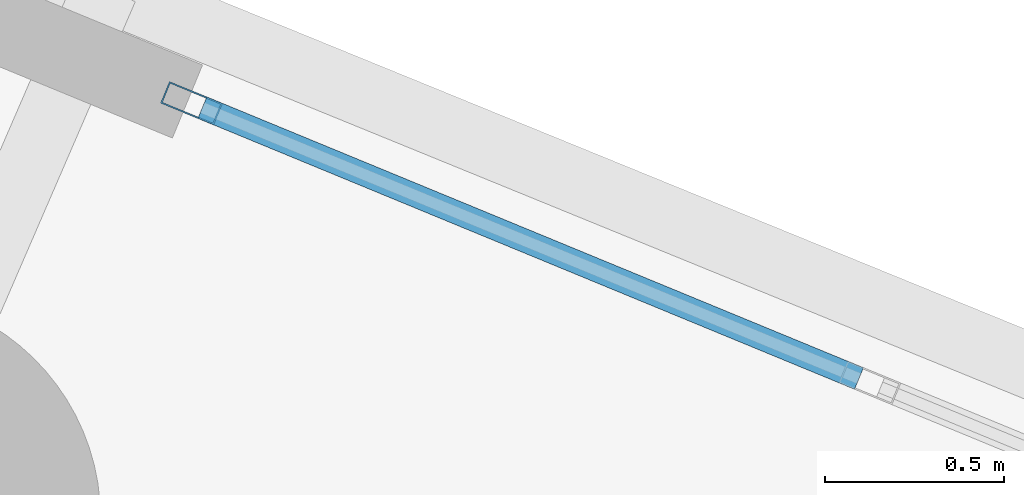
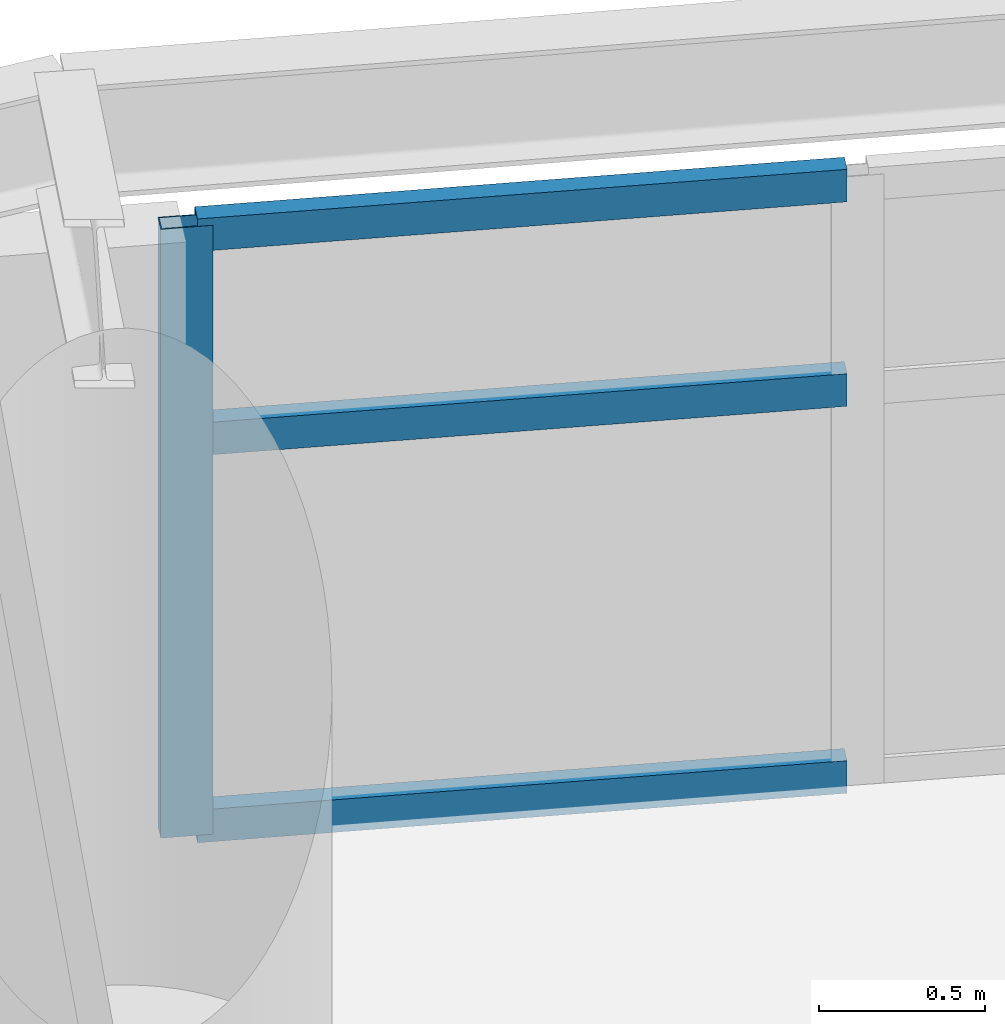
# One storey, part 7 of 17: 4 members, 1 element without a shape of its own.
"""IFC4 building model written with IfcOpenShell, lengths in metres."""

from ifc_helpers import new_model, si_unit, direction, frame, origin, origin_2d, place, context, subcontext, project, spatial, hollow_rectangle, extrude, material, layer, layer_set, material_profile, profile_set, type_object, element, aggregate, save


model = new_model("IFC4")

# Units and contexts
model_context = context("Model", 3, precision=1e-05, world=origin(), true_north=direction((0.0, 1.0)))
body_context = subcontext(model_context, "Body", "Model", "MODEL_VIEW")
ifc_project = project(units=[si_unit("LENGTHUNIT", "METRE"), si_unit("AREAUNIT", "SQUARE_METRE"), si_unit("VOLUMEUNIT", "CUBIC_METRE"), si_unit("PLANEANGLEUNIT", "RADIAN"), si_unit("MASSUNIT", "GRAM", prefix="KILO")], contexts=[model_context])

# Site, building, storey
site_placement = place(None, origin())
site = spatial("IfcSite", under=ifc_project, at=site_placement, CompositionType="ELEMENT")
building_placement = place(site_placement, origin())
building = spatial("IfcBuilding", under=site, at=building_placement, Name="Cununo Teusaquillo Station Towers", CompositionType="ELEMENT")
storey_placement = place(building_placement, frame((0.0, 0.0, 186.52001953125)))
storey = spatial("IfcBuildingStorey", under=building, at=storey_placement, Name="L59", CompositionType="ELEMENT", Elevation=186.52001953125)

# Curtain wall, members
ifc_material_1 = material(Name="Operable acoustic tinted low-E double glazing", Category="glass")
ifc_layer = layer(ifc_material_1, 0.179931640625)
ifc_layer_set = layer_set([ifc_layer], Name="Operable acoustic tinted low-E double glazing")
curtain_wall_type = type_object("IfcCurtainWallType", Name="CW-SYS-06", PredefinedType="USERDEFINED", material=ifc_layer_set)
curtain_wall_placement = place(storey_placement, origin())
curtain_wall = element("IfcCurtainWall", 1, at=curtain_wall_placement, inside=storey, type_object=curtain_wall_type, Name="L59 Tower B Facade Curtain Wall C01", ObjectType="OPERABLE GLAZING", PredefinedType="USERDEFINED")
ifc_material_2 = material(Name="Anodised dark bronze aluminium EN AW-6063-T6", Category="aluminium")
ifc_material_profile_1 = material_profile(ifc_material_2, hollow_rectangle(XDim=0.06494140625, YDim=0.159912109375, WallThickness=0.00390625, at=origin_2d()), Name="CW-MULL-65x160")
ifc_profile_set_1 = profile_set([ifc_material_profile_1], Name="Anodised dark bronze aluminium EN AW-6063-T6")
member_type_1 = type_object("IfcMemberType", Name="CWM-160", PredefinedType="MULLION", material=ifc_profile_set_1)
member_1_placement = place(storey_placement, frame((59.16943359375, 38.791015625, 0.0), z_axis=(0.0, 0.0, 1.0), x_axis=(0.381229322376, 0.924480504803, 0.0)))
member_1 = element("IfcMember", 2, at=member_1_placement, type_object=member_type_1, Name="CW-06 mullion 1", PredefinedType="MULLION", context=body_context, shape_type="SweptSolid", body=[
    extrude(hollow_rectangle(XDim=0.06494140625, YDim=0.159912109375, WallThickness=0.00390625, at=origin_2d()), origin(), (0.0, 0.0, 1.0), 2.244873046875),
])
ifc_material_3 = material(Name="Anodised dark bronze aluminium EN AW-6063-T6", Category="aluminium")
ifc_material_profile_2 = material_profile(ifc_material_3, hollow_rectangle(XDim=0.06494140625, YDim=0.1201171875, WallThickness=0.00390625, at=origin_2d()), Name="CW-TRAN-65x120")
ifc_profile_set_2 = profile_set([ifc_material_profile_2], Name="Anodised dark bronze aluminium EN AW-6063-T6")
member_type_2 = type_object("IfcMemberType", Name="CWT-120", PredefinedType="USERDEFINED", material=ifc_profile_set_2)
member_2_placement = place(storey_placement, frame((59.199462890625, 38.77880859375, 0.032470703125), z_axis=(0.924450559311, -0.381301932056, 0.0), x_axis=(0.381301932056, 0.924450559311, 0.0)))
member_2 = element("IfcMember", 3, at=member_2_placement, type_object=member_type_2, Name="CW-06 transom 1.1", ObjectType="TRANSOM", PredefinedType="USERDEFINED", context=body_context, shape_type="SweptSolid", body=[
    extrude(hollow_rectangle(XDim=0.06494140625, YDim=0.1201171875, WallThickness=0.00390625, at=origin_2d()), origin(), (0.0, 0.0, 1.0), 1.97900390625),
])
member_3_placement = place(storey_placement, frame((59.199462890625, 38.77880859375, 1.458984375), z_axis=(0.924450559311, -0.381301932056, 0.0), x_axis=(0.381301932056, 0.924450559311, 0.0)))
member_3 = element("IfcMember", 4, at=member_3_placement, type_object=member_type_2, Name="CW-06 transom 1.2", ObjectType="TRANSOM", PredefinedType="USERDEFINED", context=body_context, shape_type="SweptSolid", body=[
    extrude(hollow_rectangle(XDim=0.06494140625, YDim=0.1201171875, WallThickness=0.00390625, at=origin_2d()), origin(), (0.0, 0.0, 1.0), 1.97900390625),
])
member_4_placement = place(storey_placement, frame((59.199462890625, 38.77880859375, 2.21240234375), z_axis=(0.924450559311, -0.381301932056, 0.0), x_axis=(0.381301932056, 0.924450559311, 0.0)))
member_4 = element("IfcMember", 5, at=member_4_placement, type_object=member_type_2, Name="CW-06 transom 1.3", ObjectType="TRANSOM", PredefinedType="USERDEFINED", context=body_context, shape_type="SweptSolid", body=[
    extrude(hollow_rectangle(XDim=0.06494140625, YDim=0.1201171875, WallThickness=0.00390625, at=origin_2d()), origin(), (0.0, 0.0, 1.0), 1.97900390625),
])
aggregate(curtain_wall, [member_1, member_2, member_3, member_4])

save(model, "model.ifc")
